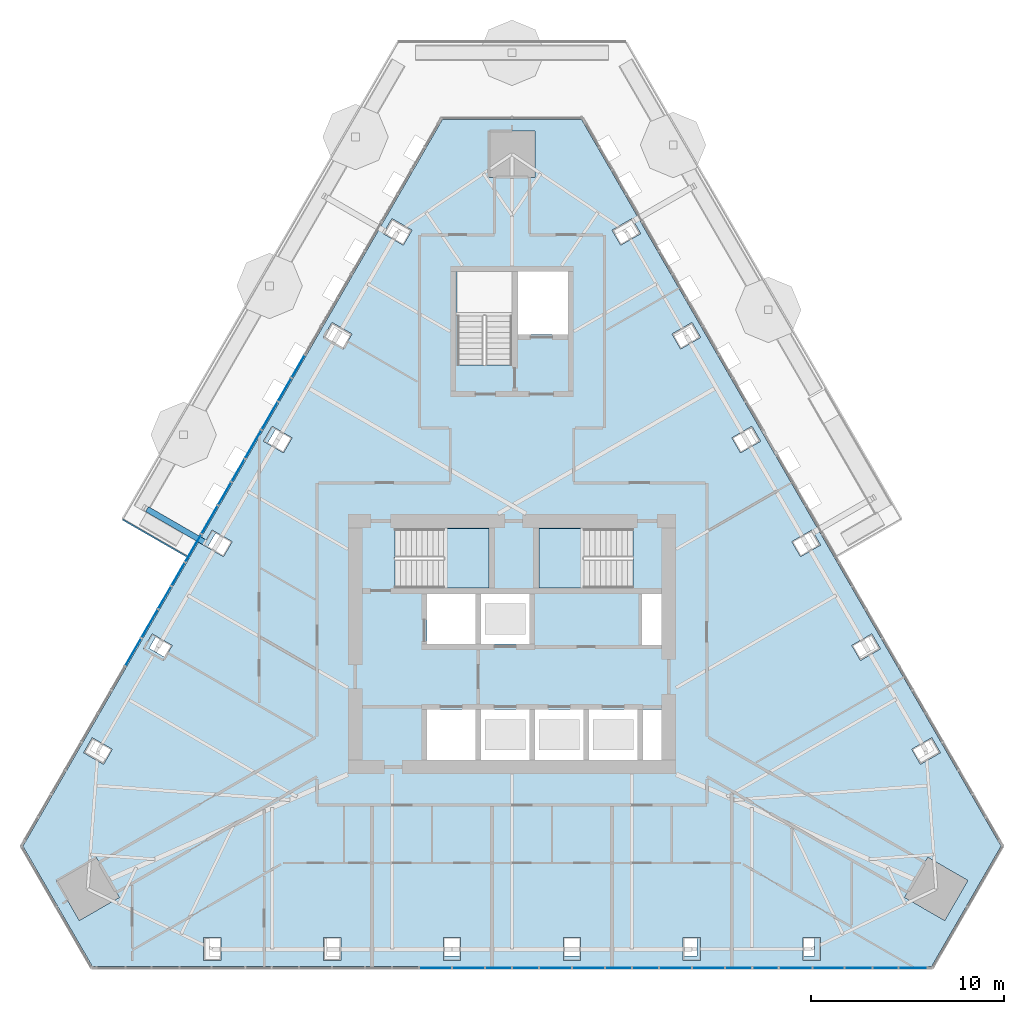
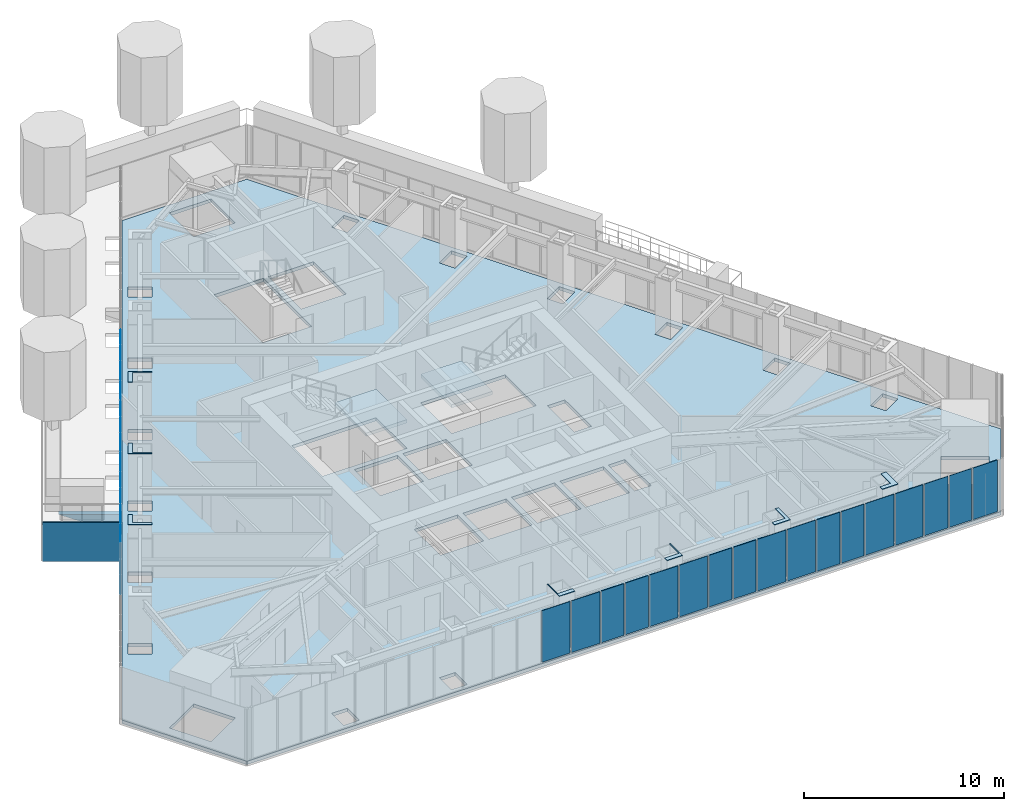
# One storey, part 11 of 22: 38 plates, 3 slabs, 4 elements without a shape of their own.
"""IFC4 building model written with IfcOpenShell, lengths in metres."""

from ifc_helpers import new_model, si_unit, direction, frame, origin, place, context, subcontext, project, spatial, polyline, outline, extrude, material, layer, layer_set, type_object, element, aggregate, save


model = new_model("IFC4")

# Units and contexts
model_context = context("Model", 3, precision=1e-05, world=origin(), true_north=direction((0.0, 1.0)))
body_context = subcontext(model_context, "Body", "Model", "MODEL_VIEW")
ifc_project = project(units=[si_unit("LENGTHUNIT", "METRE"), si_unit("AREAUNIT", "SQUARE_METRE"), si_unit("VOLUMEUNIT", "CUBIC_METRE"), si_unit("PLANEANGLEUNIT", "RADIAN"), si_unit("MASSUNIT", "GRAM", prefix="KILO")], contexts=[model_context])

# Site, building, storey
site_placement = place(None, origin())
site = spatial("IfcSite", under=ifc_project, at=site_placement, CompositionType="ELEMENT")
building_placement = place(site_placement, origin())
building = spatial("IfcBuilding", under=site, at=building_placement, Name="Firuza Gate Tower and Library", CompositionType="ELEMENT")
storey_placement = place(building_placement, frame((0.0, 0.0, 295.10009765625)))
storey = spatial("IfcBuildingStorey", under=building, at=storey_placement, Name="L71", CompositionType="ELEMENT", Elevation=295.10009765625)

# Plates
ifc_material_1 = material(Name="Steel S355", Category="steel")
ifc_layer_1 = layer(ifc_material_1, 0.030029296875)
ifc_layer_set_1 = layer_set([ifc_layer_1], Name="Column infill plate 30 Steel S355")
plate_type_1 = type_object("IfcPlateType", Name="Column infill plate 30 Steel S355", PredefinedType="SHEET", material=ifc_layer_set_1)
placement_1 = place(storey_placement, frame((0.0, 0.0, 3.5)))
element("IfcPlate", 1, at=placement_1, inside=storey, type_object=plate_type_1, Name="Infill plate L71:S3", PredefinedType="SHEET", context=body_context, shape_type="SweptSolid", body=[
    extrude(outline(polyline([(72.34326171875, 58.587646484375), (72.34326171875, 58.82470703125), (71.501953125, 58.82470703125), (71.501953125, 59.78759765625), (71.443359375, 59.78759765625), (71.443359375, 58.587646484375), (72.34326171875, 58.587646484375)])), origin(), (0.0, 0.0, 1.0), 0.02978515625),
])
element("IfcPlate", 2, at=placement_1, inside=storey, type_object=plate_type_1, Name="Infill plate L71:S4", PredefinedType="SHEET", context=body_context, shape_type="SweptSolid", body=[
    extrude(outline(polyline([(78.556640625, 59.78759765625), (78.498046875, 59.78759765625), (78.498046875, 58.82470703125), (77.65673828125, 58.82470703125), (77.65673828125, 58.587646484375), (78.556640625, 58.587646484375), (78.556640625, 59.78759765625)])), origin(), (0.0, 0.0, 1.0), 0.02978515625),
])
element("IfcPlate", 3, at=placement_1, inside=storey, type_object=plate_type_1, Name="Infill plate L71:S5", PredefinedType="SHEET", context=body_context, shape_type="SweptSolid", body=[
    extrude(outline(polyline([(84.77001953125, 59.78759765625), (84.593994140625, 59.78759765625), (84.593994140625, 58.82470703125), (83.8701171875, 58.82470703125), (83.8701171875, 58.587646484375), (84.77001953125, 58.587646484375), (84.77001953125, 59.78759765625)])), origin(), (0.0, 0.0, 1.0), 0.02978515625),
])
element("IfcPlate", 4, at=placement_1, inside=storey, type_object=plate_type_1, Name="Infill plate L71:S6", PredefinedType="SHEET", context=body_context, shape_type="SweptSolid", body=[
    extrude(outline(polyline([(90.9833984375, 59.78759765625), (90.68994140625, 59.78759765625), (90.68994140625, 58.82470703125), (90.083251953125, 58.82470703125), (90.083251953125, 58.587646484375), (90.9833984375, 58.587646484375), (90.9833984375, 59.78759765625)])), origin(), (0.0, 0.0, 1.0), 0.02978515625),
])
element("IfcPlate", 5, at=placement_1, inside=storey, type_object=plate_type_1, Name="Infill plate L71:W3", PredefinedType="SHEET", context=body_context, shape_type="SweptSolid", body=[
    extrude(outline(polyline([(62.11474609375, 85.5068359375), (62.320068359375, 85.388427734375), (62.74072265625, 86.116943359375), (63.57470703125, 85.635498046875), (63.60400390625, 85.686279296875), (62.564697265625, 86.286376953125), (62.11474609375, 85.5068359375)])), origin(), (0.0, 0.0, 1.0), 0.02978515625),
])
element("IfcPlate", 6, at=placement_1, inside=storey, type_object=plate_type_1, Name="Infill plate L71:W4", PredefinedType="SHEET", context=body_context, shape_type="SweptSolid", body=[
    extrude(outline(polyline([(60.04736328125, 79.526123046875), (60.07666015625, 79.576904296875), (59.242919921875, 80.058349609375), (59.66357421875, 80.786865234375), (59.458251953125, 80.905517578125), (59.008056640625, 80.1259765625), (60.04736328125, 79.526123046875)])), origin(), (0.0, 0.0, 1.0), 0.02978515625),
])
element("IfcPlate", 7, at=placement_1, inside=storey, type_object=plate_type_1, Name="Infill plate L71:W5", PredefinedType="SHEET", context=body_context, shape_type="SweptSolid", body=[
    extrude(outline(polyline([(56.940673828125, 74.14501953125), (57.02880859375, 74.297607421875), (56.19482421875, 74.779052734375), (56.556884765625, 75.406005859375), (56.3515625, 75.524658203125), (55.9013671875, 74.7451171875), (56.940673828125, 74.14501953125)])), origin(), (0.0, 0.0, 1.0), 0.02978515625),
])

# Slab
ifc_material_2 = material(Name="Concrete C40/50", Category="concrete")
ifc_layer_2 = layer(ifc_material_2, 0.199951171875)
ifc_layer_set_2 = layer_set([ifc_layer_2], Name="Composite floor slab 200 C40/50")
slab_type_1 = type_object("IfcSlabType", Name="Composite floor slab 200 C40/50", PredefinedType="FLOOR", material=ifc_layer_set_2)
slab_1_placement = place(storey_placement, frame((0.0, 0.0, -0.2001953125)))
element("IfcSlab", 8, at=slab_1_placement, inside=storey, type_object=slab_type_1, Name="Floor slab L71", PredefinedType="FLOOR", context=body_context, shape_type="SweptSolid", body=[
    extrude(outline(polyline([(49.6533203125, 64.52294921875), (53.25341796875, 58.28759765625), (96.74658203125, 58.28759765625), (100.3466796875, 64.52294921875), (78.60009765625, 102.189453125), (71.39990234375, 102.189453125), (49.6533203125, 64.52294921875)]), holes=[polyline([(59.0166015625, 58.587646484375), (59.0166015625, 59.78759765625), (59.916748046875, 59.78759765625), (59.916748046875, 58.587646484375), (59.0166015625, 58.587646484375)]), polyline([(65.22998046875, 58.587646484375), (65.22998046875, 59.78759765625), (66.1298828125, 59.78759765625), (66.1298828125, 58.587646484375), (65.22998046875, 58.587646484375)]), polyline([(71.443359375, 58.587646484375), (71.443359375, 59.78759765625), (72.34326171875, 59.78759765625), (72.34326171875, 58.587646484375), (71.443359375, 58.587646484375)]), polyline([(51.373046875, 62.74462890625), (53.451416015625, 63.944580078125), (54.6513671875, 61.8662109375), (52.572998046875, 60.666015625), (51.373046875, 62.74462890625)]), polyline([(53.244873046875, 70.1435546875), (54.283935546875, 69.543701171875), (53.833984375, 68.76416015625), (52.794921875, 69.3642578125), (53.244873046875, 70.1435546875)]), polyline([(73.10009765625, 69.0), (70.60009765625, 69.0), (70.60009765625, 71.60009765625), (73.10009765625, 71.60009765625), (73.10009765625, 69.0)]), polyline([(75.89990234375, 69.0), (73.39990234375, 69.0), (73.39990234375, 71.60009765625), (75.89990234375, 71.60009765625), (75.89990234375, 69.0)]), polyline([(56.3515625, 75.524658203125), (57.390625, 74.924560546875), (56.940673828125, 74.14501953125), (55.9013671875, 74.7451171875), (56.3515625, 75.524658203125)]), polyline([(73.10009765625, 75.0), (70.60009765625, 75.0), (70.60009765625, 77.60009765625), (73.10009765625, 77.60009765625), (73.10009765625, 75.0)]), polyline([(75.89990234375, 75.0), (73.39990234375, 75.0), (73.39990234375, 77.60009765625), (75.89990234375, 77.60009765625), (75.89990234375, 75.0)]), polyline([(68.9404296875, 77.89990234375), (68.9404296875, 80.97998046875), (73.81005859375, 80.97998046875), (73.81005859375, 77.89990234375), (68.9404296875, 77.89990234375)]), polyline([(59.458251953125, 80.905517578125), (60.497314453125, 80.305419921875), (60.04736328125, 79.526123046875), (59.008056640625, 80.1259765625), (59.458251953125, 80.905517578125)]), polyline([(62.564697265625, 86.286376953125), (63.60400390625, 85.686279296875), (63.154052734375, 84.906982421875), (62.11474609375, 85.5068359375), (62.564697265625, 86.286376953125)]), polyline([(65.67138671875, 91.667236328125), (66.710693359375, 91.067138671875), (66.2607421875, 90.287841796875), (65.221435546875, 90.887939453125), (65.67138671875, 91.667236328125)]), polyline([(72.159912109375, 89.470458984375), (72.159912109375, 94.300048828125), (75.0, 94.300048828125), (75.0, 89.470458984375), (72.159912109375, 89.470458984375)]), polyline([(68.778076171875, 97.048095703125), (69.8173828125, 96.4482421875), (69.367431640625, 95.668701171875), (68.328125, 96.268798828125), (68.778076171875, 97.048095703125)]), polyline([(76.199951171875, 101.58935546875), (76.199951171875, 99.189453125), (73.800048828125, 99.189453125), (73.800048828125, 101.58935546875), (76.199951171875, 101.58935546875)]), polyline([(77.65673828125, 58.587646484375), (77.65673828125, 59.78759765625), (78.556640625, 59.78759765625), (78.556640625, 58.587646484375), (77.65673828125, 58.587646484375)]), polyline([(83.8701171875, 58.587646484375), (83.8701171875, 59.78759765625), (84.77001953125, 59.78759765625), (84.77001953125, 58.587646484375), (83.8701171875, 58.587646484375)]), polyline([(90.083251953125, 58.587646484375), (90.083251953125, 59.78759765625), (90.9833984375, 59.78759765625), (90.9833984375, 58.587646484375), (90.083251953125, 58.587646484375)]), polyline([(97.427001953125, 60.666015625), (95.3486328125, 61.8662109375), (96.548583984375, 63.944580078125), (98.626953125, 62.74462890625), (97.427001953125, 60.666015625)]), polyline([(97.205078125, 69.3642578125), (96.166015625, 68.76416015625), (95.716064453125, 69.543701171875), (96.755126953125, 70.1435546875), (97.205078125, 69.3642578125)]), polyline([(78.699951171875, 69.0), (76.199951171875, 69.0), (76.199951171875, 71.60009765625), (78.699951171875, 71.60009765625), (78.699951171875, 69.0)]), polyline([(81.5, 69.0), (79.0, 69.0), (79.0, 71.60009765625), (81.5, 71.60009765625), (81.5, 69.0)]), polyline([(82.75, 69.0), (81.800048828125, 69.0), (81.800048828125, 71.60009765625), (82.75, 71.60009765625), (82.75, 69.0)]), polyline([(94.0986328125, 74.7451171875), (93.059326171875, 74.14501953125), (92.609375, 74.924560546875), (93.6484375, 75.524658203125), (94.0986328125, 74.7451171875)]), polyline([(82.75, 74.949951171875), (81.75, 74.949951171875), (81.75, 77.60009765625), (82.75, 77.60009765625), (82.75, 74.949951171875)]), polyline([(81.259521484375, 80.97998046875), (81.259521484375, 77.89990234375), (76.389892578125, 77.89990234375), (76.389892578125, 80.97998046875), (81.259521484375, 80.97998046875)]), polyline([(90.991943359375, 80.1259765625), (89.95263671875, 79.526123046875), (89.502685546875, 80.305419921875), (90.541748046875, 80.905517578125), (90.991943359375, 80.1259765625)]), polyline([(87.88525390625, 85.5068359375), (86.845947265625, 84.906982421875), (86.39599609375, 85.686279296875), (87.435302734375, 86.286376953125), (87.88525390625, 85.5068359375)]), polyline([(84.778564453125, 90.887939453125), (83.7392578125, 90.287841796875), (83.289306640625, 91.067138671875), (84.32861328125, 91.667236328125), (84.778564453125, 90.887939453125)]), polyline([(75.300048828125, 91.050048828125), (75.300048828125, 94.300048828125), (77.89990234375, 94.300048828125), (77.89990234375, 91.050048828125), (75.300048828125, 91.050048828125)]), polyline([(80.632568359375, 95.668701171875), (80.1826171875, 96.4482421875), (81.221923828125, 97.048095703125), (81.671875, 96.268798828125), (80.632568359375, 95.668701171875)])]), origin(), (0.0, 0.0, 1.0), 0.2001953125),
])

# Curtain wall, plates
ifc_material_3 = material(Name="Aluminium 6063-T6", Category="aluminium")
ifc_layer_3 = layer(ifc_material_3, 0.14990234375)
ifc_layer_set_3 = layer_set([ifc_layer_3], Name="Unitised curtain wall, residences")
curtain_wall_type = type_object("IfcCurtainWallType", Name="Unitised curtain wall, residences", PredefinedType="NOTDEFINED", material=ifc_layer_set_3)
placement_2 = place(storey_placement, origin())
curtain_wall_1 = element("IfcCurtainWall", 9, at=placement_2, inside=storey, type_object=curtain_wall_type, Name="CW3 L71 S face", PredefinedType="NOTDEFINED")
ifc_material_4 = material(Name="Fritted glass", Category="glass")
ifc_layer_4 = layer(ifc_material_4, 0.030029296875)
ifc_layer_set_4 = layer_set([ifc_layer_4], Name="Fritted glass unit, residences")
plate_type_2 = type_object("IfcPlateType", Name="Fritted glass unit, residences", PredefinedType="CURTAIN_PANEL", material=ifc_layer_set_4)
plate_8_placement = place(storey_placement, frame((70.22509765625, 58.19775390625, 0.14990234375), z_axis=(0.0, -1.0, 0.0), x_axis=(1.0, 0.0, 0.0)))
plate_8 = element("IfcPlate", 10, at=plate_8_placement, type_object=plate_type_2, Name="Glass unit", PredefinedType="CURTAIN_PANEL", context=body_context, shape_type="SweptSolid", body=[
    extrude(outline(polyline([(0.0, 0.0), (1.6220703125, 0.0), (1.6220703125, 3.14990234375), (0.0, 3.14990234375), (0.0, 0.0)])), origin(), (0.0, 0.0, -1.0), 0.030029296875),
])
plate_9_placement = place(storey_placement, frame((71.92724609375, 58.19775390625, 0.14990234375), z_axis=(0.0, -1.0, 0.0), x_axis=(1.0, 0.0, 0.0)))
plate_9 = element("IfcPlate", 11, at=plate_9_placement, type_object=plate_type_2, Name="Glass unit", PredefinedType="CURTAIN_PANEL", context=body_context, shape_type="SweptSolid", body=[
    extrude(outline(polyline([(0.0, 0.0), (1.63427734375, 0.0), (1.63427734375, 3.14990234375), (0.0, 3.14990234375), (0.0, 0.0)])), origin(), (0.0, 0.0, -1.0), 0.030029296875),
])
plate_10_placement = place(storey_placement, frame((76.4384765625, 58.19775390625, 0.14990234375), z_axis=(0.0, -1.0, 0.0), x_axis=(1.0, 0.0, 0.0)))
plate_10 = element("IfcPlate", 12, at=plate_10_placement, type_object=plate_type_2, Name="Glass unit", PredefinedType="CURTAIN_PANEL", context=body_context, shape_type="SweptSolid", body=[
    extrude(outline(polyline([(0.0, 0.0), (1.63427734375, 0.0), (1.63427734375, 3.14990234375), (0.0, 3.14990234375), (0.0, 0.0)])), origin(), (0.0, 0.0, -1.0), 0.030029296875),
])
plate_11_placement = place(storey_placement, frame((78.15283203125, 58.19775390625, 0.14990234375), z_axis=(0.0, -1.0, 0.0), x_axis=(1.0, 0.0, 0.0)))
plate_11 = element("IfcPlate", 13, at=plate_11_placement, type_object=plate_type_2, Name="Glass unit", PredefinedType="CURTAIN_PANEL", context=body_context, shape_type="SweptSolid", body=[
    extrude(outline(polyline([(0.0, 0.0), (1.6220703125, 0.0), (1.6220703125, 3.14990234375), (0.0, 3.14990234375), (0.0, 0.0)])), origin(), (0.0, 0.0, -1.0), 0.030029296875),
])
plate_12_placement = place(storey_placement, frame((82.65185546875, 58.19775390625, 0.14990234375), z_axis=(0.0, -1.0, 0.0), x_axis=(1.0, 0.0, 0.0)))
plate_12 = element("IfcPlate", 14, at=plate_12_placement, type_object=plate_type_2, Name="Glass unit", PredefinedType="CURTAIN_PANEL", context=body_context, shape_type="SweptSolid", body=[
    extrude(outline(polyline([(0.0, 0.0), (1.646728515625, 0.0), (1.646728515625, 3.14990234375), (0.0, 3.14990234375), (0.0, 0.0)])), origin(), (0.0, 0.0, -1.0), 0.030029296875),
])
plate_13_placement = place(storey_placement, frame((84.378662109375, 58.19775390625, 0.14990234375), z_axis=(0.0, -1.0, 0.0), x_axis=(1.0, 0.0, 0.0)))
plate_13 = element("IfcPlate", 15, at=plate_13_placement, type_object=plate_type_2, Name="Glass unit", PredefinedType="CURTAIN_PANEL", context=body_context, shape_type="SweptSolid", body=[
    extrude(outline(polyline([(0.0, 0.0), (1.609619140625, 0.0), (1.609619140625, 3.14990234375), (0.0, 3.14990234375), (0.0, 0.0)])), origin(), (0.0, 0.0, -1.0), 0.030029296875),
])
plate_14_placement = place(storey_placement, frame((88.865234375, 58.19775390625, 0.14990234375), z_axis=(0.0, -1.0, 0.0), x_axis=(1.0, 0.0, 0.0)))
plate_14 = element("IfcPlate", 16, at=plate_14_placement, type_object=plate_type_2, Name="Glass unit", PredefinedType="CURTAIN_PANEL", context=body_context, shape_type="SweptSolid", body=[
    extrude(outline(polyline([(0.0, 0.0), (1.658935546875, 0.0), (1.658935546875, 3.14990234375), (0.0, 3.14990234375), (0.0, 0.0)])), origin(), (0.0, 0.0, -1.0), 0.030029296875),
])
plate_15_placement = place(storey_placement, frame((90.604248046875, 58.19775390625, 0.14990234375), z_axis=(0.0, -1.0, 0.0), x_axis=(1.0, 0.0, 0.0)))
plate_15 = element("IfcPlate", 17, at=plate_15_placement, type_object=plate_type_2, Name="Glass unit", PredefinedType="CURTAIN_PANEL", context=body_context, shape_type="SweptSolid", body=[
    extrude(outline(polyline([(0.0, 0.0), (1.59716796875, 0.0), (1.59716796875, 3.14990234375), (0.0, 3.14990234375), (0.0, 0.0)])), origin(), (0.0, 0.0, -1.0), 0.030029296875),
])
plate_16_placement = place(storey_placement, frame((95.078369140625, 58.19775390625, 0.14990234375), z_axis=(0.0, -1.0, 0.0), x_axis=(1.0, 0.0, 0.0)))
plate_16 = element("IfcPlate", 18, at=plate_16_placement, type_object=plate_type_2, Name="Glass unit", PredefinedType="CURTAIN_PANEL", context=body_context, shape_type="SweptSolid", body=[
    extrude(outline(polyline([(0.0, 0.0), (1.405517578125, 0.0), (1.405517578125, 3.14990234375), (0.0, 3.14990234375), (0.0, 0.0)])), origin(), (0.0, 0.0, -1.0), 0.030029296875),
])

curtain_wall_2 = element("IfcCurtainWall", 19, at=placement_2, inside=storey, type_object=curtain_wall_type, Name="CW3 L71 W face", PredefinedType="NOTDEFINED")
plate_17_placement = place(storey_placement, frame((62.836181640625, 87.536376953125, 0.14990234375), z_axis=(-0.866030190588, 0.499991708921, 0.0), x_axis=(-0.499991708921, -0.866030190588, 0.0)))
plate_17 = element("IfcPlate", 20, at=plate_17_placement, type_object=plate_type_2, Name="Glass unit", PredefinedType="CURTAIN_PANEL", context=body_context, shape_type="SweptSolid", body=[
    extrude(outline(polyline([(0.0, 0.0), (1.622097210371129, 0.0), (1.622097210371129, 3.14990234375), (0.0, 3.14990234375), (0.0, 0.0)])), origin(), (0.0, 0.0, -1.0), 0.030029296875),
])
plate_18_placement = place(storey_placement, frame((61.985107421875, 86.062255859375, 0.14990234375), z_axis=(-0.866018903231, 0.500011259119, 0.0), x_axis=(-0.500011259119, -0.866018903231, 0.0)))
plate_18 = element("IfcPlate", 21, at=plate_18_placement, type_object=plate_type_2, Name="Glass unit", PredefinedType="CURTAIN_PANEL", context=body_context, shape_type="SweptSolid", body=[
    extrude(outline(polyline([(0.0, 0.0), (1.6342405435312757, 0.0), (1.6342405435312757, 3.14990234375), (0.0, 3.14990234375), (0.0, 0.0)])), origin(), (0.0, 0.0, -1.0), 0.030029296875),
])
plate_19_placement = place(storey_placement, frame((59.7294921875, 82.155517578125, 0.14990234375), z_axis=(-0.866056245385, 0.499946576975, 0.0), x_axis=(-0.499946576975, -0.866056245385, 0.0)))
plate_19 = element("IfcPlate", 22, at=plate_19_placement, type_object=plate_type_2, Name="Glass unit", PredefinedType="CURTAIN_PANEL", context=body_context, shape_type="SweptSolid", body=[
    extrude(outline(polyline([(0.0, 0.0), (1.6344519784862355, 0.0), (1.6344519784862355, 3.14990234375), (0.0, 3.14990234375), (0.0, 0.0)])), origin(), (0.0, 0.0, -1.0), 0.030029296875),
])
plate_20_placement = place(storey_placement, frame((58.872314453125, 80.670654296875, 0.14990234375), z_axis=(-0.865992557167, 0.500056887695, 0.0), x_axis=(-0.500056887695, -0.865992557167, 0.0)))
plate_20 = element("IfcPlate", 23, at=plate_20_placement, type_object=plate_type_2, Name="Glass unit", PredefinedType="CURTAIN_PANEL", context=body_context, shape_type="SweptSolid", body=[
    extrude(outline(polyline([(0.0, 0.0), (1.6218857818127541, 0.0), (1.6218857818127541, 3.14990234375), (0.0, 3.14990234375), (0.0, 0.0)])), origin(), (0.0, 0.0, -1.0), 0.030029296875),
])
plate_21_placement = place(storey_placement, frame((56.622802734375, 76.7744140625, 0.14990234375), z_axis=(-0.866044851585, 0.499966313909, 0.0), x_axis=(-0.499966313909, -0.866044851585, 0.0)))
plate_21 = element("IfcPlate", 24, at=plate_21_placement, type_object=plate_type_2, Name="Glass unit", PredefinedType="CURTAIN_PANEL", context=body_context, shape_type="SweptSolid", body=[
    extrude(outline(polyline([(0.0, 0.0), (1.6465953097185018, 0.0), (1.6465953097185018, 3.14990234375), (0.0, 3.14990234375), (0.0, 0.0)])), origin(), (0.0, 0.0, -1.0), 0.030029296875),
])
plate_22_placement = place(storey_placement, frame((55.759521484375, 75.279052734375, 0.14990234375), z_axis=(-0.865965804178, 0.50010321534, 0.0), x_axis=(-0.50010321534, -0.865965804178, 0.0)))
plate_22 = element("IfcPlate", 25, at=plate_22_placement, type_object=plate_type_2, Name="Glass unit", PredefinedType="CURTAIN_PANEL", context=body_context, shape_type="SweptSolid", body=[
    extrude(outline(polyline([(0.0, 0.0), (1.6095310246658425, 0.0), (1.6095310246658425, 3.14990234375), (0.0, 3.14990234375), (0.0, 0.0)])), origin(), (0.0, 0.0, -1.0), 0.030029296875),
])

# Plate
ifc_material_5 = material(Name="Glazed ceramic tile")
ifc_layer_5 = layer(ifc_material_5, 0.030029296875)
ifc_layer_set_5 = layer_set([ifc_layer_5], Name="Opaque ceramic panel, residences")
plate_type_3 = type_object("IfcPlateType", Name="Opaque ceramic panel, residences", PredefinedType="CURTAIN_PANEL", material=ifc_layer_set_5)
plate_23_placement = place(storey_placement, frame((73.6416015625, 58.19775390625, 0.14990234375), z_axis=(0.0, -1.0, 0.0), x_axis=(1.0, 0.0, 0.0)))
plate_23 = element("IfcPlate", 26, at=plate_23_placement, type_object=plate_type_3, Name="Opaque ceramic panel", PredefinedType="CURTAIN_PANEL", context=body_context, shape_type="SweptSolid", body=[
    extrude(outline(polyline([(0.0, 0.0), (1.318359375, 0.0), (1.318359375, 3.14990234375), (0.0, 3.14990234375), (0.0, 0.0)])), origin(), (0.0, 0.0, -1.0), 0.030029296875),
])

plate_24_placement = place(storey_placement, frame((75.0400390625, 58.19775390625, 0.14990234375), z_axis=(0.0, -1.0, 0.0), x_axis=(1.0, 0.0, 0.0)))
plate_24 = element("IfcPlate", 27, at=plate_24_placement, type_object=plate_type_3, Name="Opaque ceramic panel", PredefinedType="CURTAIN_PANEL", context=body_context, shape_type="SweptSolid", body=[
    extrude(outline(polyline([(0.0, 0.0), (1.318359375, 0.0), (1.318359375, 3.14990234375), (0.0, 3.14990234375), (0.0, 0.0)])), origin(), (0.0, 0.0, -1.0), 0.030029296875),
])

plate_25_placement = place(storey_placement, frame((79.854736328125, 58.19775390625, 0.14990234375), z_axis=(0.0, -1.0, 0.0), x_axis=(1.0, 0.0, 0.0)))
plate_25 = element("IfcPlate", 28, at=plate_25_placement, type_object=plate_type_3, Name="Opaque ceramic panel", PredefinedType="CURTAIN_PANEL", context=body_context, shape_type="SweptSolid", body=[
    extrude(outline(polyline([(0.0, 0.0), (1.3310546875, 0.0), (1.3310546875, 3.14990234375), (0.0, 3.14990234375), (0.0, 0.0)])), origin(), (0.0, 0.0, -1.0), 0.030029296875),
])

plate_26_placement = place(storey_placement, frame((81.265625, 58.19775390625, 0.14990234375), z_axis=(0.0, -1.0, 0.0), x_axis=(1.0, 0.0, 0.0)))
plate_26 = element("IfcPlate", 29, at=plate_26_placement, type_object=plate_type_3, Name="Opaque ceramic panel", PredefinedType="CURTAIN_PANEL", context=body_context, shape_type="SweptSolid", body=[
    extrude(outline(polyline([(0.0, 0.0), (1.30615234375, 0.0), (1.30615234375, 3.14990234375), (0.0, 3.14990234375), (0.0, 0.0)])), origin(), (0.0, 0.0, -1.0), 0.030029296875),
])

plate_27_placement = place(storey_placement, frame((86.068115234375, 58.19775390625, 0.14990234375), z_axis=(0.0, -1.0, 0.0), x_axis=(1.0, 0.0, 0.0)))
plate_27 = element("IfcPlate", 30, at=plate_27_placement, type_object=plate_type_3, Name="Opaque ceramic panel", PredefinedType="CURTAIN_PANEL", context=body_context, shape_type="SweptSolid", body=[
    extrude(outline(polyline([(0.0, 0.0), (1.34326171875, 0.0), (1.34326171875, 3.14990234375), (0.0, 3.14990234375), (0.0, 0.0)])), origin(), (0.0, 0.0, -1.0), 0.030029296875),
])

plate_28_placement = place(storey_placement, frame((87.491455078125, 58.19775390625, 0.14990234375), z_axis=(0.0, -1.0, 0.0), x_axis=(1.0, 0.0, 0.0)))
plate_28 = element("IfcPlate", 31, at=plate_28_placement, type_object=plate_type_3, Name="Opaque ceramic panel", PredefinedType="CURTAIN_PANEL", context=body_context, shape_type="SweptSolid", body=[
    extrude(outline(polyline([(0.0, 0.0), (1.293701171875, 0.0), (1.293701171875, 3.14990234375), (0.0, 3.14990234375), (0.0, 0.0)])), origin(), (0.0, 0.0, -1.0), 0.030029296875),
])

plate_29_placement = place(storey_placement, frame((92.281494140625, 58.19775390625, 0.14990234375), z_axis=(0.0, -1.0, 0.0), x_axis=(1.0, 0.0, 0.0)))
plate_29 = element("IfcPlate", 32, at=plate_29_placement, type_object=plate_type_3, Name="Opaque ceramic panel", PredefinedType="CURTAIN_PANEL", context=body_context, shape_type="SweptSolid", body=[
    extrude(outline(polyline([(0.0, 0.0), (1.355712890625, 0.0), (1.355712890625, 3.14990234375), (0.0, 3.14990234375), (0.0, 0.0)])), origin(), (0.0, 0.0, -1.0), 0.030029296875),
])

plate_30_placement = place(storey_placement, frame((93.717041015625, 58.19775390625, 0.14990234375), z_axis=(0.0, -1.0, 0.0), x_axis=(1.0, 0.0, 0.0)))
plate_30 = element("IfcPlate", 33, at=plate_30_placement, type_object=plate_type_3, Name="Opaque ceramic panel", PredefinedType="CURTAIN_PANEL", context=body_context, shape_type="SweptSolid", body=[
    extrude(outline(polyline([(0.0, 0.0), (1.281494140625, 0.0), (1.281494140625, 3.14990234375), (0.0, 3.14990234375), (0.0, 0.0)])), origin(), (0.0, 0.0, -1.0), 0.030029296875),
])

aggregate(curtain_wall_1, [plate_8, plate_9, plate_23, plate_24, plate_10, plate_11, plate_25, plate_26, plate_12, plate_13, plate_27, plate_28, plate_14, plate_15, plate_29, plate_30, plate_16])

plate_31_placement = place(storey_placement, frame((64.234619140625, 89.95849609375, 0.14990234375), z_axis=(-0.86601437931, 0.500019094464, 0.0), x_axis=(-0.500019094464, -0.86601437931, 0.0)))
plate_31 = element("IfcPlate", 34, at=plate_31_placement, type_object=plate_type_3, Name="Opaque ceramic panel", PredefinedType="CURTAIN_PANEL", context=body_context, shape_type="SweptSolid", body=[
    extrude(outline(polyline([(0.0, 0.0), (1.3061024650961115, 0.0), (1.3061024650961115, 3.14990234375), (0.0, 3.14990234375), (0.0, 0.0)])), origin(), (0.0, 0.0, -1.0), 0.030029296875),
])

plate_32_placement = place(storey_placement, frame((63.54150390625, 88.758056640625, 0.14990234375), z_axis=(-0.866032814021, 0.499987164874, 0.0), x_axis=(-0.499987164874, -0.866032814021, 0.0)))
plate_32 = element("IfcPlate", 35, at=plate_32_placement, type_object=plate_type_3, Name="Opaque ceramic panel", PredefinedType="CURTAIN_PANEL", context=body_context, shape_type="SweptSolid", body=[
    extrude(outline(polyline([(0.0, 0.0), (1.3306005631008588, 0.0), (1.3306005631008588, 3.14990234375), (0.0, 3.14990234375), (0.0, 0.0)])), origin(), (0.0, 0.0, -1.0), 0.030029296875),
])

plate_33_placement = place(storey_placement, frame((61.1279296875, 84.57763671875, 0.14990234375), z_axis=(-0.866046828231, 0.499962889934, 0.0), x_axis=(-0.499962889934, -0.866046828231, 0.0)))
plate_33 = element("IfcPlate", 36, at=plate_33_placement, type_object=plate_type_3, Name="Opaque ceramic panel", PredefinedType="CURTAIN_PANEL", context=body_context, shape_type="SweptSolid", body=[
    extrude(outline(polyline([(0.0, 0.0), (1.3184572310688063, 0.0), (1.3184572310688063, 3.14990234375), (0.0, 3.14990234375), (0.0, 0.0)])), origin(), (0.0, 0.0, -1.0), 0.030029296875),
])

plate_34_placement = place(storey_placement, frame((60.4287109375, 83.366455078125, 0.14990234375), z_axis=(-0.866046828231, 0.499962889934, 0.0), x_axis=(-0.499962889934, -0.866046828231, 0.0)))
plate_34 = element("IfcPlate", 37, at=plate_34_placement, type_object=plate_type_3, Name="Opaque ceramic panel", PredefinedType="CURTAIN_PANEL", context=body_context, shape_type="SweptSolid", body=[
    extrude(outline(polyline([(0.0, 0.0), (1.3184572310688063, 0.0), (1.3184572310688063, 3.14990234375), (0.0, 3.14990234375), (0.0, 0.0)])), origin(), (0.0, 0.0, -1.0), 0.030029296875),
])

plate_35_placement = place(storey_placement, frame((58.021240234375, 79.19677734375, 0.14990234375), z_axis=(-0.866078671117, 0.499907726921, 0.0), x_axis=(-0.499907726921, -0.866078671117, 0.0)))
plate_35 = element("IfcPlate", 38, at=plate_35_placement, type_object=plate_type_3, Name="Opaque ceramic panel", PredefinedType="CURTAIN_PANEL", context=body_context, shape_type="SweptSolid", body=[
    extrude(outline(polyline([(0.0, 0.0), (1.3308120024915793, 0.0), (1.3308120024915793, 3.1499023437499996), (0.0, 3.1499023437499996), (0.0, 0.0)])), origin(), (0.0, 0.0, -1.0), 0.030029296875),
])

plate_36_placement = place(storey_placement, frame((57.31591796875, 77.974853515625, 0.14990234375), z_axis=(-0.86601437931, 0.500019094464, 0.0), x_axis=(-0.500019094464, -0.86601437931, 0.0)))
plate_36 = element("IfcPlate", 39, at=plate_36_placement, type_object=plate_type_3, Name="Opaque ceramic panel", PredefinedType="CURTAIN_PANEL", context=body_context, shape_type="SweptSolid", body=[
    extrude(outline(polyline([(0.0, 0.0), (1.3061024650961115, 0.0), (1.3061024650961115, 3.14990234375), (0.0, 3.14990234375), (0.0, 0.0)])), origin(), (0.0, 0.0, -1.0), 0.030029296875),
])

aggregate(curtain_wall_2, [plate_31, plate_32, plate_17, plate_18, plate_33, plate_34, plate_19, plate_20, plate_35, plate_36, plate_21, plate_22])

# Stair, slab
ifc_material_6 = material(Name="Concrete C35/45", Category="concrete")
stair_type = type_object("IfcStairType", Name="Exit stair ST8", PredefinedType="HALF_TURN_STAIR", material=ifc_material_6)
stair_1 = element("IfcStair", 40, at=placement_2, inside=storey, type_object=stair_type, Name="L71 Stair ST1", PredefinedType="HALF_TURN_STAIR")
ifc_material_7 = material(Name="Concrete C35/45", Category="concrete")
ifc_layer_6 = layer(ifc_material_7, 0.199951171875)
ifc_layer_set_6 = layer_set([ifc_layer_6], Name="Stair landing 200")
slab_type_2 = type_object("IfcSlabType", Name="Stair landing 200", PredefinedType="LANDING", material=ifc_layer_set_6)
placement_3 = place(storey_placement, frame((0.0, 0.0, 1.5498046875)))
slab_2 = element("IfcSlab", 41, at=placement_3, type_object=slab_type_2, Name="ST1 landing 1", PredefinedType="LANDING", context=body_context, shape_type="SweptSolid", body=[
    extrude(outline(polyline([(71.4599609375, 77.89990234375), (73.81005859375, 77.89990234375), (73.81005859375, 80.97998046875), (71.4599609375, 80.97998046875), (71.4599609375, 77.89990234375)])), origin(), (0.0, 0.0, 1.0), 0.2001953125),
])
aggregate(stair_1, [slab_2])

stair_2 = element("IfcStair", 42, at=placement_2, inside=storey, type_object=stair_type, Name="L71 Stair ST2", PredefinedType="HALF_TURN_STAIR")
slab_3 = element("IfcSlab", 43, at=placement_3, type_object=slab_type_2, Name="ST2 landing 1", PredefinedType="LANDING", context=body_context, shape_type="SweptSolid", body=[
    extrude(outline(polyline([(78.739990234375, 80.97998046875), (76.389892578125, 80.97998046875), (76.389892578125, 77.89990234375), (78.739990234375, 77.89990234375), (78.739990234375, 80.97998046875)])), origin(), (0.0, 0.0, 1.0), 0.2001953125),
])
aggregate(stair_2, [slab_3])

# Plates
ifc_material_8 = material(Name="Steel S355", Category="steel")
ifc_layer_7 = layer(ifc_material_8, 0.300048828125)
ifc_layer_set_7 = layer_set([ifc_layer_7], Name="Tray bracket web 300 Steel S355")
plate_type_4 = type_object("IfcPlateType", Name="Tray bracket web 300 Steel S355", PredefinedType="SHEET", material=ifc_layer_set_7)
plate_37_placement = place(storey_placement, frame((58.97802734375, 80.14306640625, -0.2001953125), z_axis=(-0.500028509433, -0.86600894323, 0.0), x_axis=(-0.86600894323, 0.500028509433, 0.0)))
element("IfcPlate", 44, at=plate_37_placement, inside=storey, type_object=plate_type_4, Name="Tray bracket web L71 col:L70:W4", PredefinedType="SHEET", context=body_context, shape_type="SweptSolid", body=[
    extrude(outline(polyline([(0.0, 0.0), (3.4294919542601163, 0.0), (0.0, 1.333984375), (0.0, 0.0)])), origin(), (0.0, 0.0, -1.0), 0.300048828125),
])
ifc_material_9 = material(Name="Aluminium 6063-T6", Category="aluminium")
ifc_layer_8 = layer(ifc_material_9, 0.050048828125)
ifc_layer_set_8 = layer_set([ifc_layer_8], Name="Tray fascia panel 50")
plate_type_5 = type_object("IfcPlateType", Name="Tray fascia panel 50", PredefinedType="SHEET", material=ifc_layer_set_8)
plate_38_placement = place(storey_placement, frame((54.824951171875, 81.419921875, -2.400146484375), z_axis=(-0.49999779889, -0.866026674592, 0.0), x_axis=(0.866026674592, -0.49999779889, 0.0)))
element("IfcPlate", 45, at=plate_38_placement, inside=storey, type_object=plate_type_5, Name="Tray fascia L71 4", PredefinedType="SHEET", context=body_context, shape_type="SweptSolid", body=[
    extrude(outline(polyline([(0.0, 0.0), (3.9399587508162695, 0.0), (3.9399587508162695, 2.400146484375), (0.0, 2.400146484375), (0.0, 0.0)])), origin(), (0.0, 0.0, -1.0), 0.050048828125),
])

save(model, "model.ifc")
